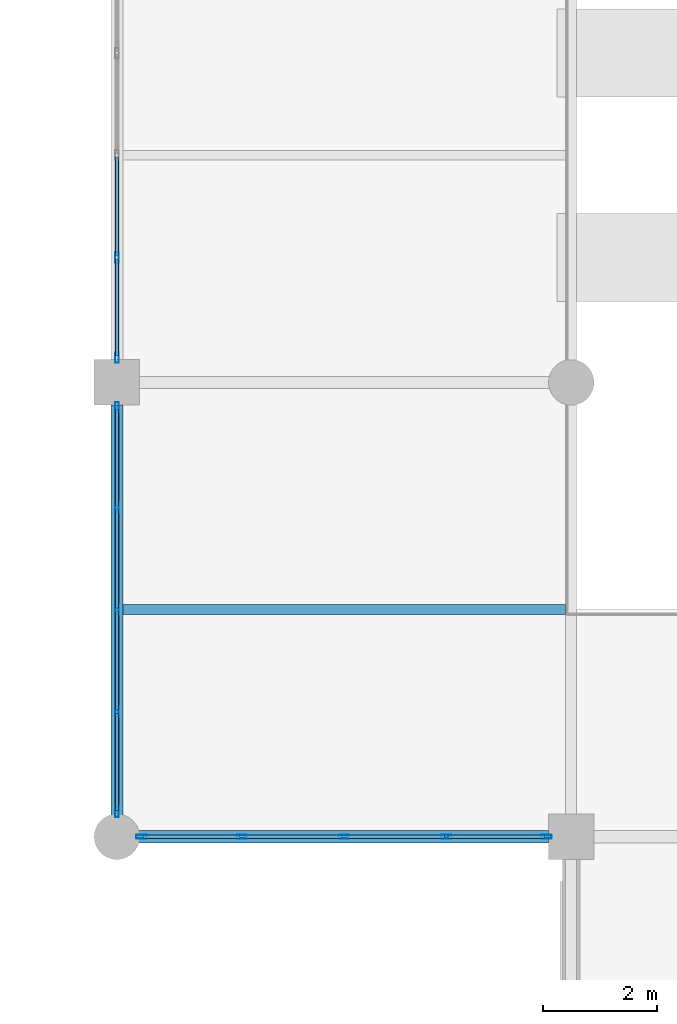
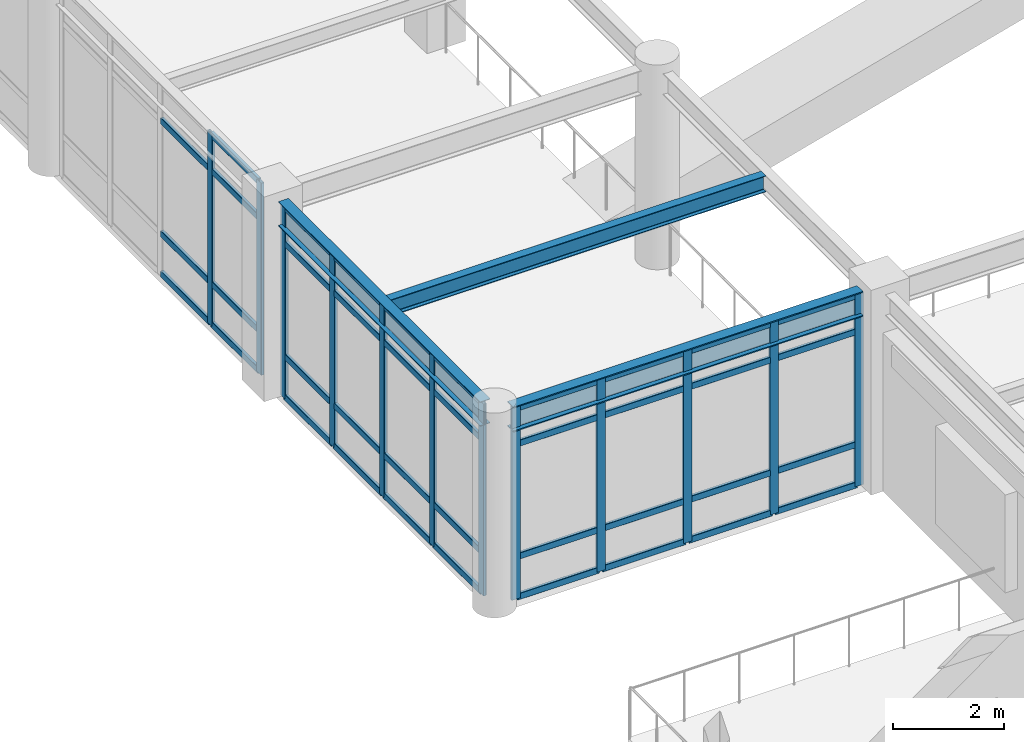
# One storey, part 21 of 111: 51 members, 3 beams, 3 elements without a shape of their own.
"""IFC4 building model written with IfcOpenShell, lengths in metres."""

from ifc_helpers import new_model, si_unit, direction, frame, origin, origin_2d, place, context, subcontext, project, spatial, hollow_rectangle, i_section, extrude, material, material_profile, profile_set, type_object, element, aggregate, save


model = new_model("IFC4")

# Units and contexts
model_context = context("Model", 3, precision=1e-05, world=origin(), true_north=direction((0.0, 1.0)))
body_context = subcontext(model_context, "Body", "Model", "MODEL_VIEW")
ifc_project = project(units=[si_unit("LENGTHUNIT", "METRE"), si_unit("AREAUNIT", "SQUARE_METRE"), si_unit("VOLUMEUNIT", "CUBIC_METRE"), si_unit("PLANEANGLEUNIT", "RADIAN"), si_unit("MASSUNIT", "GRAM", prefix="KILO")], contexts=[model_context])

# Site, building, storey
site_placement = place(None, origin())
site = spatial("IfcSite", under=ifc_project, at=site_placement, CompositionType="ELEMENT")
building_placement = place(site_placement, origin())
building = spatial("IfcBuilding", under=site, at=building_placement, Name="Solmirada Galleria", CompositionType="ELEMENT")
storey_placement = place(building_placement, frame((0.0, 0.0, 10.39990234375)))
storey = spatial("IfcBuildingStorey", under=building, at=storey_placement, Name="L02", CompositionType="ELEMENT", Elevation=10.39990234375)

# Beams
ifc_material_1 = material(Name="Steel S355 / ASTM A992 Grade 50", Category="steel")
ifc_material_profile_1 = material_profile(ifc_material_1, i_section(OverallWidth=0.214111328125, OverallDepth=0.549072265625, WebThickness=0.0146484375, FlangeThickness=0.023681640625, FilletRadius=0.014892578125, at=origin_2d()), Name="W21X93")
ifc_profile_set_1 = profile_set([ifc_material_profile_1], Name="Steel S355 / ASTM A992 Grade 50")
beam_type_1 = type_object("IfcBeamType", Name="BM-GIRD-W21A", PredefinedType="BEAM", material=ifc_profile_set_1)
beam_1_placement = place(storey_placement, frame((80.3359375, 48.0, 4.025634765625), z_axis=(1.0, 0.0, 0.0), x_axis=(0.0, 1.0, 0.0)))
element("IfcBeam", 1, at=beam_1_placement, inside=storey, type_object=beam_type_1, Name="Primary beam L03 X(80..88, 48)", PredefinedType="BEAM", context=body_context, shape_type="SweptSolid", body=[
    extrude(i_section(OverallWidth=0.214111328125, OverallDepth=0.549072265625, WebThickness=0.0146484375, FlangeThickness=0.023681640625, FilletRadius=0.014892578125, at=origin_2d()), origin(), (0.0, 0.0, 1.0), 7.26416015625),
])
ifc_material_profile_2 = material_profile(ifc_material_1, i_section(OverallWidth=0.2099609375, OverallDepth=0.537109375, WebThickness=0.010986328125, FlangeThickness=0.017333984375, FilletRadius=0.014892578125, at=origin_2d()), Name="W21X68")
ifc_profile_set_2 = profile_set([ifc_material_profile_2], Name="Steel S355 / ASTM A992 Grade 50")
beam_type_2 = type_object("IfcBeamType", Name="BM-GIRD-W21B", PredefinedType="BEAM", material=ifc_profile_set_2)
beam_2_placement = place(storey_placement, frame((80.0, 48.3359375, 4.031494140625), z_axis=(0.0, 1.0, 0.0), x_axis=(-1.0, 0.0, 0.0)))
element("IfcBeam", 2, at=beam_2_placement, inside=storey, type_object=beam_type_2, Name="Primary girder L03 Y(80, 48..56)", PredefinedType="BEAM", context=body_context, shape_type="SweptSolid", body=[
    extrude(i_section(OverallWidth=0.2099609375, OverallDepth=0.537109375, WebThickness=0.010986328125, FlangeThickness=0.017333984375, FilletRadius=0.014892578125, at=origin_2d()), origin(), (0.0, 0.0, 1.0), 7.26416015625),
])
ifc_material_profile_3 = material_profile(ifc_material_1, i_section(OverallWidth=0.172119140625, OverallDepth=0.35791015625, WebThickness=0.0078125, FlangeThickness=0.01318359375, FilletRadius=0.011962890625, at=origin_2d()), Name="W14X38")
ifc_profile_set_3 = profile_set([ifc_material_profile_3], Name="Steel S355 / ASTM A992 Grade 50")
beam_type_3 = type_object("IfcBeamType", Name="BM-JST-W14A", PredefinedType="JOIST", material=ifc_profile_set_3)
beam_3_placement = place(storey_placement, frame((80.10498046875, 52.0, 4.12109375), z_axis=(1.0, 0.0, 0.0), x_axis=(0.0, 1.0, 0.0)))
element("IfcBeam", 3, at=beam_3_placement, inside=storey, type_object=beam_type_3, Name="Composite floor joist L03 (80..88, 52.0)", PredefinedType="JOIST", context=body_context, shape_type="SweptSolid", body=[
    extrude(i_section(OverallWidth=0.172119140625, OverallDepth=0.35791015625, WebThickness=0.0078125, FlangeThickness=0.01318359375, FilletRadius=0.011962890625, at=origin_2d()), origin(), (0.0, 0.0, 1.0), 7.798095703125),
])

# Curtain wall, members
ifc_material_2 = material(Name="Impact-resistant low-E double glazing", Category="glass")
curtain_wall_type = type_object("IfcCurtainWallType", Name="CW-FZ3-L02-B4-L072", PredefinedType="NOTDEFINED", material=ifc_material_2)
curtain_wall_1_placement = place(storey_placement, origin())
curtain_wall_1 = element("IfcCurtainWall", 4, at=curtain_wall_1_placement, inside=storey, type_object=curtain_wall_type, Name="Terrace and arcade storefront CW-L02-083", PredefinedType="NOTDEFINED")
ifc_material_3 = material(Name="Anodised aluminium framing", Category="aluminium")
ifc_material_profile_4 = material_profile(ifc_material_3, hollow_rectangle(XDim=0.06494140625, YDim=0.179931640625, WallThickness=0.00390625, InnerFilletRadius=0.00390625, OuterFilletRadius=0.008056640625, at=origin_2d()), Name="ALU-MULL-180X65")
ifc_profile_set_4 = profile_set([ifc_material_profile_4], Name="Anodised aluminium framing")
member_type_1 = type_object("IfcMemberType", Name="CW-MULL-180", PredefinedType="MULLION", material=ifc_profile_set_4)
member_1_placement = place(storey_placement, frame((87.5654296875, 48.0, 0.0), z_axis=(0.0, 0.0, 1.0), x_axis=(0.0, -1.0, 0.0)))
member_1 = element("IfcMember", 5, at=member_1_placement, type_object=member_type_1, Name="CW21 mullion 1", PredefinedType="MULLION", context=body_context, shape_type="SweptSolid", body=[
    extrude(hollow_rectangle(XDim=0.06494140625, YDim=0.179931640625, WallThickness=0.00390625, InnerFilletRadius=0.00390625, OuterFilletRadius=0.008056640625, at=origin_2d()), origin(), (0.0, 0.0, 1.0), 4.22021484375),
])
member_2_placement = place(storey_placement, frame((85.799072265625, 48.0, 0.0), z_axis=(0.0, 0.0, 1.0), x_axis=(0.0, -1.0, 0.0)))
member_2 = element("IfcMember", 6, at=member_2_placement, type_object=member_type_1, Name="CW21 mullion 2", PredefinedType="MULLION", context=body_context, shape_type="SweptSolid", body=[
    extrude(hollow_rectangle(XDim=0.06494140625, YDim=0.179931640625, WallThickness=0.00390625, InnerFilletRadius=0.00390625, OuterFilletRadius=0.008056640625, at=origin_2d()), origin(), (0.0, 0.0, 1.0), 4.22021484375),
])
member_3_placement = place(storey_placement, frame((84.0, 48.0, 0.0), z_axis=(0.0, 0.0, 1.0), x_axis=(0.0, -1.0, 0.0)))
member_3 = element("IfcMember", 7, at=member_3_placement, type_object=member_type_1, Name="CW21 mullion 3", PredefinedType="MULLION", context=body_context, shape_type="SweptSolid", body=[
    extrude(hollow_rectangle(XDim=0.06494140625, YDim=0.179931640625, WallThickness=0.00390625, InnerFilletRadius=0.00390625, OuterFilletRadius=0.008056640625, at=origin_2d()), origin(), (0.0, 0.0, 1.0), 4.22021484375),
])
member_4_placement = place(storey_placement, frame((82.200927734375, 48.0, 0.0), z_axis=(0.0, 0.0, 1.0), x_axis=(0.0, -1.0, 0.0)))
member_4 = element("IfcMember", 8, at=member_4_placement, type_object=member_type_1, Name="CW21 mullion 4", PredefinedType="MULLION", context=body_context, shape_type="SweptSolid", body=[
    extrude(hollow_rectangle(XDim=0.06494140625, YDim=0.179931640625, WallThickness=0.00390625, InnerFilletRadius=0.00390625, OuterFilletRadius=0.008056640625, at=origin_2d()), origin(), (0.0, 0.0, 1.0), 4.22021484375),
])
member_5_placement = place(storey_placement, frame((80.4345703125, 48.0, 0.0), z_axis=(0.0, 0.0, 1.0), x_axis=(0.0, -1.0, 0.0)))
member_5 = element("IfcMember", 9, at=member_5_placement, type_object=member_type_1, Name="CW21 mullion 5", PredefinedType="MULLION", context=body_context, shape_type="SweptSolid", body=[
    extrude(hollow_rectangle(XDim=0.06494140625, YDim=0.179931640625, WallThickness=0.00390625, InnerFilletRadius=0.00390625, OuterFilletRadius=0.008056640625, at=origin_2d()), origin(), (0.0, 0.0, 1.0), 4.22021484375),
])

curtain_wall_2_placement = place(storey_placement, origin())
curtain_wall_2 = element("IfcCurtainWall", 10, at=curtain_wall_2_placement, inside=storey, type_object=curtain_wall_type, Name="Terrace and arcade storefront CW-L02-084", PredefinedType="NOTDEFINED")
member_6_placement = place(storey_placement, frame((80.0, 48.4345703125, 0.0), z_axis=(0.0, 0.0, 1.0), x_axis=(-1.0, 0.0, 0.0)))
member_6 = element("IfcMember", 11, at=member_6_placement, type_object=member_type_1, Name="CW21 mullion 1", PredefinedType="MULLION", context=body_context, shape_type="SweptSolid", body=[
    extrude(hollow_rectangle(XDim=0.06494140625, YDim=0.179931640625, WallThickness=0.00390625, InnerFilletRadius=0.00390625, OuterFilletRadius=0.008056640625, at=origin_2d()), origin(), (0.0, 0.0, 1.0), 4.22021484375),
])
member_7_placement = place(storey_placement, frame((80.0, 50.200927734375, 0.0), z_axis=(0.0, 0.0, 1.0), x_axis=(-1.0, 0.0, 0.0)))
member_7 = element("IfcMember", 12, at=member_7_placement, type_object=member_type_1, Name="CW21 mullion 2", PredefinedType="MULLION", context=body_context, shape_type="SweptSolid", body=[
    extrude(hollow_rectangle(XDim=0.06494140625, YDim=0.179931640625, WallThickness=0.00390625, InnerFilletRadius=0.00390625, OuterFilletRadius=0.008056640625, at=origin_2d()), origin(), (0.0, 0.0, 1.0), 4.22021484375),
])
member_8_placement = place(storey_placement, frame((80.0, 52.0, 0.0), z_axis=(0.0, 0.0, 1.0), x_axis=(-1.0, 0.0, 0.0)))
member_8 = element("IfcMember", 13, at=member_8_placement, type_object=member_type_1, Name="CW21 mullion 3", PredefinedType="MULLION", context=body_context, shape_type="SweptSolid", body=[
    extrude(hollow_rectangle(XDim=0.06494140625, YDim=0.179931640625, WallThickness=0.00390625, InnerFilletRadius=0.00390625, OuterFilletRadius=0.008056640625, at=origin_2d()), origin(), (0.0, 0.0, 1.0), 4.22021484375),
])
member_9_placement = place(storey_placement, frame((80.0, 53.799072265625, 0.0), z_axis=(0.0, 0.0, 1.0), x_axis=(-1.0, 0.0, 0.0)))
member_9 = element("IfcMember", 14, at=member_9_placement, type_object=member_type_1, Name="CW21 mullion 4", PredefinedType="MULLION", context=body_context, shape_type="SweptSolid", body=[
    extrude(hollow_rectangle(XDim=0.06494140625, YDim=0.179931640625, WallThickness=0.00390625, InnerFilletRadius=0.00390625, OuterFilletRadius=0.008056640625, at=origin_2d()), origin(), (0.0, 0.0, 1.0), 4.22021484375),
])
member_10_placement = place(storey_placement, frame((80.0, 55.5654296875, 0.0), z_axis=(0.0, 0.0, 1.0), x_axis=(-1.0, 0.0, 0.0)))
member_10 = element("IfcMember", 15, at=member_10_placement, type_object=member_type_1, Name="CW21 mullion 5", PredefinedType="MULLION", context=body_context, shape_type="SweptSolid", body=[
    extrude(hollow_rectangle(XDim=0.06494140625, YDim=0.179931640625, WallThickness=0.00390625, InnerFilletRadius=0.00390625, OuterFilletRadius=0.008056640625, at=origin_2d()), origin(), (0.0, 0.0, 1.0), 4.22021484375),
])

curtain_wall_3_placement = place(storey_placement, origin())
curtain_wall_3 = element("IfcCurtainWall", 16, at=curtain_wall_3_placement, inside=storey, type_object=curtain_wall_type, Name="Terrace and arcade storefront CW-L02-085", PredefinedType="NOTDEFINED")
member_11_placement = place(storey_placement, frame((80.0, 56.4345703125, 0.0), z_axis=(0.0, 0.0, 1.0), x_axis=(-1.0, 0.0, 0.0)))
member_11 = element("IfcMember", 17, at=member_11_placement, type_object=member_type_1, Name="CW21 mullion 1", PredefinedType="MULLION", context=body_context, shape_type="SweptSolid", body=[
    extrude(hollow_rectangle(XDim=0.06494140625, YDim=0.179931640625, WallThickness=0.00390625, InnerFilletRadius=0.00390625, OuterFilletRadius=0.008056640625, at=origin_2d()), origin(), (0.0, 0.0, 1.0), 4.22021484375),
])
member_12_placement = place(storey_placement, frame((80.0, 58.200927734375, 0.0), z_axis=(0.0, 0.0, 1.0), x_axis=(-1.0, 0.0, 0.0)))
member_12 = element("IfcMember", 18, at=member_12_placement, type_object=member_type_1, Name="CW21 mullion 2", PredefinedType="MULLION", context=body_context, shape_type="SweptSolid", body=[
    extrude(hollow_rectangle(XDim=0.06494140625, YDim=0.179931640625, WallThickness=0.00390625, InnerFilletRadius=0.00390625, OuterFilletRadius=0.008056640625, at=origin_2d()), origin(), (0.0, 0.0, 1.0), 4.22021484375),
])

# Member
ifc_material_profile_5 = material_profile(ifc_material_3, hollow_rectangle(XDim=0.06494140625, YDim=0.139892578125, WallThickness=0.00341796875, InnerFilletRadius=0.00341796875, OuterFilletRadius=0.007080078125, at=origin_2d()), Name="ALU-TRAN-140X65")
ifc_profile_set_5 = profile_set([ifc_material_profile_5], Name="Anodised aluminium framing")
member_type_2 = type_object("IfcMemberType", Name="CW-TRAN-140", PredefinedType="USERDEFINED", material=ifc_profile_set_5)
member_13_placement = place(storey_placement, frame((87.532958984375, 48.0, 0.03271484375), z_axis=(-1.0, 0.0, 0.0), x_axis=(0.0, -1.0, 0.0)))
member_13 = element("IfcMember", 19, at=member_13_placement, type_object=member_type_2, Name="CW21 transom 1.1", ObjectType="TRANSOM", PredefinedType="USERDEFINED", context=body_context, shape_type="SweptSolid", body=[
    extrude(hollow_rectangle(XDim=0.06494140625, YDim=0.139892578125, WallThickness=0.00341796875, InnerFilletRadius=0.00341796875, OuterFilletRadius=0.007080078125, at=origin_2d()), origin(), (0.0, 0.0, 1.0), 1.701416015625),
])

member_14_placement = place(storey_placement, frame((87.532958984375, 48.0, 0.920166015625), z_axis=(-1.0, 0.0, 0.0), x_axis=(0.0, -1.0, 0.0)))
member_14 = element("IfcMember", 20, at=member_14_placement, type_object=member_type_2, Name="CW21 transom 1.2", ObjectType="TRANSOM", PredefinedType="USERDEFINED", context=body_context, shape_type="SweptSolid", body=[
    extrude(hollow_rectangle(XDim=0.06494140625, YDim=0.139892578125, WallThickness=0.00341796875, InnerFilletRadius=0.00341796875, OuterFilletRadius=0.007080078125, at=origin_2d()), origin(), (0.0, 0.0, 1.0), 1.701416015625),
])

member_15_placement = place(storey_placement, frame((87.532958984375, 48.0, 3.400146484375), z_axis=(-1.0, 0.0, 0.0), x_axis=(0.0, -1.0, 0.0)))
member_15 = element("IfcMember", 21, at=member_15_placement, type_object=member_type_2, Name="CW21 transom 1.3", ObjectType="TRANSOM", PredefinedType="USERDEFINED", context=body_context, shape_type="SweptSolid", body=[
    extrude(hollow_rectangle(XDim=0.06494140625, YDim=0.139892578125, WallThickness=0.00341796875, InnerFilletRadius=0.00341796875, OuterFilletRadius=0.007080078125, at=origin_2d()), origin(), (0.0, 0.0, 1.0), 1.701416015625),
])

member_16_placement = place(storey_placement, frame((87.532958984375, 48.0, 4.1875), z_axis=(-1.0, 0.0, 0.0), x_axis=(0.0, -1.0, 0.0)))
member_16 = element("IfcMember", 22, at=member_16_placement, type_object=member_type_2, Name="CW21 transom 1.4", ObjectType="TRANSOM", PredefinedType="USERDEFINED", context=body_context, shape_type="SweptSolid", body=[
    extrude(hollow_rectangle(XDim=0.06494140625, YDim=0.139892578125, WallThickness=0.00341796875, InnerFilletRadius=0.00341796875, OuterFilletRadius=0.007080078125, at=origin_2d()), origin(), (0.0, 0.0, 1.0), 1.701416015625),
])

member_17_placement = place(storey_placement, frame((85.7666015625, 48.0, 0.03271484375), z_axis=(-1.0, 0.0, 0.0), x_axis=(0.0, -1.0, 0.0)))
member_17 = element("IfcMember", 23, at=member_17_placement, type_object=member_type_2, Name="CW21 transom 2.1", ObjectType="TRANSOM", PredefinedType="USERDEFINED", context=body_context, shape_type="SweptSolid", body=[
    extrude(hollow_rectangle(XDim=0.06494140625, YDim=0.139892578125, WallThickness=0.00341796875, InnerFilletRadius=0.00341796875, OuterFilletRadius=0.007080078125, at=origin_2d()), origin(), (0.0, 0.0, 1.0), 1.734130859375),
])

member_18_placement = place(storey_placement, frame((85.7666015625, 48.0, 0.920166015625), z_axis=(-1.0, 0.0, 0.0), x_axis=(0.0, -1.0, 0.0)))
member_18 = element("IfcMember", 24, at=member_18_placement, type_object=member_type_2, Name="CW21 transom 2.2", ObjectType="TRANSOM", PredefinedType="USERDEFINED", context=body_context, shape_type="SweptSolid", body=[
    extrude(hollow_rectangle(XDim=0.06494140625, YDim=0.139892578125, WallThickness=0.00341796875, InnerFilletRadius=0.00341796875, OuterFilletRadius=0.007080078125, at=origin_2d()), origin(), (0.0, 0.0, 1.0), 1.734130859375),
])

member_19_placement = place(storey_placement, frame((85.7666015625, 48.0, 3.400146484375), z_axis=(-1.0, 0.0, 0.0), x_axis=(0.0, -1.0, 0.0)))
member_19 = element("IfcMember", 25, at=member_19_placement, type_object=member_type_2, Name="CW21 transom 2.3", ObjectType="TRANSOM", PredefinedType="USERDEFINED", context=body_context, shape_type="SweptSolid", body=[
    extrude(hollow_rectangle(XDim=0.06494140625, YDim=0.139892578125, WallThickness=0.00341796875, InnerFilletRadius=0.00341796875, OuterFilletRadius=0.007080078125, at=origin_2d()), origin(), (0.0, 0.0, 1.0), 1.734130859375),
])

member_20_placement = place(storey_placement, frame((85.7666015625, 48.0, 4.1875), z_axis=(-1.0, 0.0, 0.0), x_axis=(0.0, -1.0, 0.0)))
member_20 = element("IfcMember", 26, at=member_20_placement, type_object=member_type_2, Name="CW21 transom 2.4", ObjectType="TRANSOM", PredefinedType="USERDEFINED", context=body_context, shape_type="SweptSolid", body=[
    extrude(hollow_rectangle(XDim=0.06494140625, YDim=0.139892578125, WallThickness=0.00341796875, InnerFilletRadius=0.00341796875, OuterFilletRadius=0.007080078125, at=origin_2d()), origin(), (0.0, 0.0, 1.0), 1.734130859375),
])

member_21_placement = place(storey_placement, frame((83.967529296875, 48.0, 0.03271484375), z_axis=(-1.0, 0.0, 0.0), x_axis=(0.0, -1.0, 0.0)))
member_21 = element("IfcMember", 27, at=member_21_placement, type_object=member_type_2, Name="CW21 transom 3.1", ObjectType="TRANSOM", PredefinedType="USERDEFINED", context=body_context, shape_type="SweptSolid", body=[
    extrude(hollow_rectangle(XDim=0.06494140625, YDim=0.139892578125, WallThickness=0.00341796875, InnerFilletRadius=0.00341796875, OuterFilletRadius=0.007080078125, at=origin_2d()), origin(), (0.0, 0.0, 1.0), 1.734130859375),
])

member_22_placement = place(storey_placement, frame((83.967529296875, 48.0, 0.920166015625), z_axis=(-1.0, 0.0, 0.0), x_axis=(0.0, -1.0, 0.0)))
member_22 = element("IfcMember", 28, at=member_22_placement, type_object=member_type_2, Name="CW21 transom 3.2", ObjectType="TRANSOM", PredefinedType="USERDEFINED", context=body_context, shape_type="SweptSolid", body=[
    extrude(hollow_rectangle(XDim=0.06494140625, YDim=0.139892578125, WallThickness=0.00341796875, InnerFilletRadius=0.00341796875, OuterFilletRadius=0.007080078125, at=origin_2d()), origin(), (0.0, 0.0, 1.0), 1.734130859375),
])

member_23_placement = place(storey_placement, frame((83.967529296875, 48.0, 3.400146484375), z_axis=(-1.0, 0.0, 0.0), x_axis=(0.0, -1.0, 0.0)))
member_23 = element("IfcMember", 29, at=member_23_placement, type_object=member_type_2, Name="CW21 transom 3.3", ObjectType="TRANSOM", PredefinedType="USERDEFINED", context=body_context, shape_type="SweptSolid", body=[
    extrude(hollow_rectangle(XDim=0.06494140625, YDim=0.139892578125, WallThickness=0.00341796875, InnerFilletRadius=0.00341796875, OuterFilletRadius=0.007080078125, at=origin_2d()), origin(), (0.0, 0.0, 1.0), 1.734130859375),
])

member_24_placement = place(storey_placement, frame((83.967529296875, 48.0, 4.1875), z_axis=(-1.0, 0.0, 0.0), x_axis=(0.0, -1.0, 0.0)))
member_24 = element("IfcMember", 30, at=member_24_placement, type_object=member_type_2, Name="CW21 transom 3.4", ObjectType="TRANSOM", PredefinedType="USERDEFINED", context=body_context, shape_type="SweptSolid", body=[
    extrude(hollow_rectangle(XDim=0.06494140625, YDim=0.139892578125, WallThickness=0.00341796875, InnerFilletRadius=0.00341796875, OuterFilletRadius=0.007080078125, at=origin_2d()), origin(), (0.0, 0.0, 1.0), 1.734130859375),
])

member_25_placement = place(storey_placement, frame((82.16845703125, 48.0, 0.03271484375), z_axis=(-1.0, 0.0, 0.0), x_axis=(0.0, -1.0, 0.0)))
member_25 = element("IfcMember", 31, at=member_25_placement, type_object=member_type_2, Name="CW21 transom 4.1", ObjectType="TRANSOM", PredefinedType="USERDEFINED", context=body_context, shape_type="SweptSolid", body=[
    extrude(hollow_rectangle(XDim=0.06494140625, YDim=0.139892578125, WallThickness=0.00341796875, InnerFilletRadius=0.00341796875, OuterFilletRadius=0.007080078125, at=origin_2d()), origin(), (0.0, 0.0, 1.0), 1.701416015625),
])

member_26_placement = place(storey_placement, frame((82.16845703125, 48.0, 0.920166015625), z_axis=(-1.0, 0.0, 0.0), x_axis=(0.0, -1.0, 0.0)))
member_26 = element("IfcMember", 32, at=member_26_placement, type_object=member_type_2, Name="CW21 transom 4.2", ObjectType="TRANSOM", PredefinedType="USERDEFINED", context=body_context, shape_type="SweptSolid", body=[
    extrude(hollow_rectangle(XDim=0.06494140625, YDim=0.139892578125, WallThickness=0.00341796875, InnerFilletRadius=0.00341796875, OuterFilletRadius=0.007080078125, at=origin_2d()), origin(), (0.0, 0.0, 1.0), 1.701416015625),
])

member_27_placement = place(storey_placement, frame((82.16845703125, 48.0, 3.400146484375), z_axis=(-1.0, 0.0, 0.0), x_axis=(0.0, -1.0, 0.0)))
member_27 = element("IfcMember", 33, at=member_27_placement, type_object=member_type_2, Name="CW21 transom 4.3", ObjectType="TRANSOM", PredefinedType="USERDEFINED", context=body_context, shape_type="SweptSolid", body=[
    extrude(hollow_rectangle(XDim=0.06494140625, YDim=0.139892578125, WallThickness=0.00341796875, InnerFilletRadius=0.00341796875, OuterFilletRadius=0.007080078125, at=origin_2d()), origin(), (0.0, 0.0, 1.0), 1.701416015625),
])

member_28_placement = place(storey_placement, frame((82.16845703125, 48.0, 4.1875), z_axis=(-1.0, 0.0, 0.0), x_axis=(0.0, -1.0, 0.0)))
member_28 = element("IfcMember", 34, at=member_28_placement, type_object=member_type_2, Name="CW21 transom 4.4", ObjectType="TRANSOM", PredefinedType="USERDEFINED", context=body_context, shape_type="SweptSolid", body=[
    extrude(hollow_rectangle(XDim=0.06494140625, YDim=0.139892578125, WallThickness=0.00341796875, InnerFilletRadius=0.00341796875, OuterFilletRadius=0.007080078125, at=origin_2d()), origin(), (0.0, 0.0, 1.0), 1.701416015625),
])

aggregate(curtain_wall_1, [member_1, member_2, member_3, member_4, member_5, member_13, member_14, member_15, member_16, member_17, member_18, member_19, member_20, member_21, member_22, member_23, member_24, member_25, member_26, member_27, member_28])

member_29_placement = place(storey_placement, frame((80.0, 48.467041015625, 0.03271484375), z_axis=(0.0, 1.0, 0.0), x_axis=(-1.0, 0.0, 0.0)))
member_29 = element("IfcMember", 35, at=member_29_placement, type_object=member_type_2, Name="CW21 transom 1.1", ObjectType="TRANSOM", PredefinedType="USERDEFINED", context=body_context, shape_type="SweptSolid", body=[
    extrude(hollow_rectangle(XDim=0.06494140625, YDim=0.139892578125, WallThickness=0.00341796875, InnerFilletRadius=0.00341796875, OuterFilletRadius=0.007080078125, at=origin_2d()), origin(), (0.0, 0.0, 1.0), 1.701416015625),
])

member_30_placement = place(storey_placement, frame((80.0, 48.467041015625, 0.920166015625), z_axis=(0.0, 1.0, 0.0), x_axis=(-1.0, 0.0, 0.0)))
member_30 = element("IfcMember", 36, at=member_30_placement, type_object=member_type_2, Name="CW21 transom 1.2", ObjectType="TRANSOM", PredefinedType="USERDEFINED", context=body_context, shape_type="SweptSolid", body=[
    extrude(hollow_rectangle(XDim=0.06494140625, YDim=0.139892578125, WallThickness=0.00341796875, InnerFilletRadius=0.00341796875, OuterFilletRadius=0.007080078125, at=origin_2d()), origin(), (0.0, 0.0, 1.0), 1.701416015625),
])

member_31_placement = place(storey_placement, frame((80.0, 48.467041015625, 3.400146484375), z_axis=(0.0, 1.0, 0.0), x_axis=(-1.0, 0.0, 0.0)))
member_31 = element("IfcMember", 37, at=member_31_placement, type_object=member_type_2, Name="CW21 transom 1.3", ObjectType="TRANSOM", PredefinedType="USERDEFINED", context=body_context, shape_type="SweptSolid", body=[
    extrude(hollow_rectangle(XDim=0.06494140625, YDim=0.139892578125, WallThickness=0.00341796875, InnerFilletRadius=0.00341796875, OuterFilletRadius=0.007080078125, at=origin_2d()), origin(), (0.0, 0.0, 1.0), 1.701416015625),
])

member_32_placement = place(storey_placement, frame((80.0, 48.467041015625, 4.1875), z_axis=(0.0, 1.0, 0.0), x_axis=(-1.0, 0.0, 0.0)))
member_32 = element("IfcMember", 38, at=member_32_placement, type_object=member_type_2, Name="CW21 transom 1.4", ObjectType="TRANSOM", PredefinedType="USERDEFINED", context=body_context, shape_type="SweptSolid", body=[
    extrude(hollow_rectangle(XDim=0.06494140625, YDim=0.139892578125, WallThickness=0.00341796875, InnerFilletRadius=0.00341796875, OuterFilletRadius=0.007080078125, at=origin_2d()), origin(), (0.0, 0.0, 1.0), 1.701416015625),
])

member_33_placement = place(storey_placement, frame((80.0, 50.2333984375, 0.03271484375), z_axis=(0.0, 1.0, 0.0), x_axis=(-1.0, 0.0, 0.0)))
member_33 = element("IfcMember", 39, at=member_33_placement, type_object=member_type_2, Name="CW21 transom 2.1", ObjectType="TRANSOM", PredefinedType="USERDEFINED", context=body_context, shape_type="SweptSolid", body=[
    extrude(hollow_rectangle(XDim=0.06494140625, YDim=0.139892578125, WallThickness=0.00341796875, InnerFilletRadius=0.00341796875, OuterFilletRadius=0.007080078125, at=origin_2d()), origin(), (0.0, 0.0, 1.0), 1.734130859375),
])

member_34_placement = place(storey_placement, frame((80.0, 50.2333984375, 0.920166015625), z_axis=(0.0, 1.0, 0.0), x_axis=(-1.0, 0.0, 0.0)))
member_34 = element("IfcMember", 40, at=member_34_placement, type_object=member_type_2, Name="CW21 transom 2.2", ObjectType="TRANSOM", PredefinedType="USERDEFINED", context=body_context, shape_type="SweptSolid", body=[
    extrude(hollow_rectangle(XDim=0.06494140625, YDim=0.139892578125, WallThickness=0.00341796875, InnerFilletRadius=0.00341796875, OuterFilletRadius=0.007080078125, at=origin_2d()), origin(), (0.0, 0.0, 1.0), 1.734130859375),
])

member_35_placement = place(storey_placement, frame((80.0, 50.2333984375, 3.400146484375), z_axis=(0.0, 1.0, 0.0), x_axis=(-1.0, 0.0, 0.0)))
member_35 = element("IfcMember", 41, at=member_35_placement, type_object=member_type_2, Name="CW21 transom 2.3", ObjectType="TRANSOM", PredefinedType="USERDEFINED", context=body_context, shape_type="SweptSolid", body=[
    extrude(hollow_rectangle(XDim=0.06494140625, YDim=0.139892578125, WallThickness=0.00341796875, InnerFilletRadius=0.00341796875, OuterFilletRadius=0.007080078125, at=origin_2d()), origin(), (0.0, 0.0, 1.0), 1.734130859375),
])

member_36_placement = place(storey_placement, frame((80.0, 50.2333984375, 4.1875), z_axis=(0.0, 1.0, 0.0), x_axis=(-1.0, 0.0, 0.0)))
member_36 = element("IfcMember", 42, at=member_36_placement, type_object=member_type_2, Name="CW21 transom 2.4", ObjectType="TRANSOM", PredefinedType="USERDEFINED", context=body_context, shape_type="SweptSolid", body=[
    extrude(hollow_rectangle(XDim=0.06494140625, YDim=0.139892578125, WallThickness=0.00341796875, InnerFilletRadius=0.00341796875, OuterFilletRadius=0.007080078125, at=origin_2d()), origin(), (0.0, 0.0, 1.0), 1.734130859375),
])

member_37_placement = place(storey_placement, frame((80.0, 52.032470703125, 0.03271484375), z_axis=(0.0, 1.0, 0.0), x_axis=(-1.0, 0.0, 0.0)))
member_37 = element("IfcMember", 43, at=member_37_placement, type_object=member_type_2, Name="CW21 transom 3.1", ObjectType="TRANSOM", PredefinedType="USERDEFINED", context=body_context, shape_type="SweptSolid", body=[
    extrude(hollow_rectangle(XDim=0.06494140625, YDim=0.139892578125, WallThickness=0.00341796875, InnerFilletRadius=0.00341796875, OuterFilletRadius=0.007080078125, at=origin_2d()), origin(), (0.0, 0.0, 1.0), 1.734130859375),
])

member_38_placement = place(storey_placement, frame((80.0, 52.032470703125, 0.920166015625), z_axis=(0.0, 1.0, 0.0), x_axis=(-1.0, 0.0, 0.0)))
member_38 = element("IfcMember", 44, at=member_38_placement, type_object=member_type_2, Name="CW21 transom 3.2", ObjectType="TRANSOM", PredefinedType="USERDEFINED", context=body_context, shape_type="SweptSolid", body=[
    extrude(hollow_rectangle(XDim=0.06494140625, YDim=0.139892578125, WallThickness=0.00341796875, InnerFilletRadius=0.00341796875, OuterFilletRadius=0.007080078125, at=origin_2d()), origin(), (0.0, 0.0, 1.0), 1.734130859375),
])

member_39_placement = place(storey_placement, frame((80.0, 52.032470703125, 3.400146484375), z_axis=(0.0, 1.0, 0.0), x_axis=(-1.0, 0.0, 0.0)))
member_39 = element("IfcMember", 45, at=member_39_placement, type_object=member_type_2, Name="CW21 transom 3.3", ObjectType="TRANSOM", PredefinedType="USERDEFINED", context=body_context, shape_type="SweptSolid", body=[
    extrude(hollow_rectangle(XDim=0.06494140625, YDim=0.139892578125, WallThickness=0.00341796875, InnerFilletRadius=0.00341796875, OuterFilletRadius=0.007080078125, at=origin_2d()), origin(), (0.0, 0.0, 1.0), 1.734130859375),
])

member_40_placement = place(storey_placement, frame((80.0, 52.032470703125, 4.1875), z_axis=(0.0, 1.0, 0.0), x_axis=(-1.0, 0.0, 0.0)))
member_40 = element("IfcMember", 46, at=member_40_placement, type_object=member_type_2, Name="CW21 transom 3.4", ObjectType="TRANSOM", PredefinedType="USERDEFINED", context=body_context, shape_type="SweptSolid", body=[
    extrude(hollow_rectangle(XDim=0.06494140625, YDim=0.139892578125, WallThickness=0.00341796875, InnerFilletRadius=0.00341796875, OuterFilletRadius=0.007080078125, at=origin_2d()), origin(), (0.0, 0.0, 1.0), 1.734130859375),
])

member_41_placement = place(storey_placement, frame((80.0, 53.83154296875, 0.03271484375), z_axis=(0.0, 1.0, 0.0), x_axis=(-1.0, 0.0, 0.0)))
member_41 = element("IfcMember", 47, at=member_41_placement, type_object=member_type_2, Name="CW21 transom 4.1", ObjectType="TRANSOM", PredefinedType="USERDEFINED", context=body_context, shape_type="SweptSolid", body=[
    extrude(hollow_rectangle(XDim=0.06494140625, YDim=0.139892578125, WallThickness=0.00341796875, InnerFilletRadius=0.00341796875, OuterFilletRadius=0.007080078125, at=origin_2d()), origin(), (0.0, 0.0, 1.0), 1.701416015625),
])

member_42_placement = place(storey_placement, frame((80.0, 53.83154296875, 0.920166015625), z_axis=(0.0, 1.0, 0.0), x_axis=(-1.0, 0.0, 0.0)))
member_42 = element("IfcMember", 48, at=member_42_placement, type_object=member_type_2, Name="CW21 transom 4.2", ObjectType="TRANSOM", PredefinedType="USERDEFINED", context=body_context, shape_type="SweptSolid", body=[
    extrude(hollow_rectangle(XDim=0.06494140625, YDim=0.139892578125, WallThickness=0.00341796875, InnerFilletRadius=0.00341796875, OuterFilletRadius=0.007080078125, at=origin_2d()), origin(), (0.0, 0.0, 1.0), 1.701416015625),
])

member_43_placement = place(storey_placement, frame((80.0, 53.83154296875, 3.400146484375), z_axis=(0.0, 1.0, 0.0), x_axis=(-1.0, 0.0, 0.0)))
member_43 = element("IfcMember", 49, at=member_43_placement, type_object=member_type_2, Name="CW21 transom 4.3", ObjectType="TRANSOM", PredefinedType="USERDEFINED", context=body_context, shape_type="SweptSolid", body=[
    extrude(hollow_rectangle(XDim=0.06494140625, YDim=0.139892578125, WallThickness=0.00341796875, InnerFilletRadius=0.00341796875, OuterFilletRadius=0.007080078125, at=origin_2d()), origin(), (0.0, 0.0, 1.0), 1.701416015625),
])

member_44_placement = place(storey_placement, frame((80.0, 53.83154296875, 4.1875), z_axis=(0.0, 1.0, 0.0), x_axis=(-1.0, 0.0, 0.0)))
member_44 = element("IfcMember", 50, at=member_44_placement, type_object=member_type_2, Name="CW21 transom 4.4", ObjectType="TRANSOM", PredefinedType="USERDEFINED", context=body_context, shape_type="SweptSolid", body=[
    extrude(hollow_rectangle(XDim=0.06494140625, YDim=0.139892578125, WallThickness=0.00341796875, InnerFilletRadius=0.00341796875, OuterFilletRadius=0.007080078125, at=origin_2d()), origin(), (0.0, 0.0, 1.0), 1.701416015625),
])

aggregate(curtain_wall_2, [member_6, member_7, member_8, member_9, member_10, member_29, member_30, member_31, member_32, member_33, member_34, member_35, member_36, member_37, member_38, member_39, member_40, member_41, member_42, member_43, member_44])

member_45_placement = place(storey_placement, frame((80.0, 56.467041015625, 0.03271484375), z_axis=(0.0, 1.0, 0.0), x_axis=(-1.0, 0.0, 0.0)))
member_45 = element("IfcMember", 51, at=member_45_placement, type_object=member_type_2, Name="CW21 transom 1.1", ObjectType="TRANSOM", PredefinedType="USERDEFINED", context=body_context, shape_type="SweptSolid", body=[
    extrude(hollow_rectangle(XDim=0.06494140625, YDim=0.139892578125, WallThickness=0.00341796875, InnerFilletRadius=0.00341796875, OuterFilletRadius=0.007080078125, at=origin_2d()), origin(), (0.0, 0.0, 1.0), 1.701416015625),
])

member_46_placement = place(storey_placement, frame((80.0, 56.467041015625, 0.920166015625), z_axis=(0.0, 1.0, 0.0), x_axis=(-1.0, 0.0, 0.0)))
member_46 = element("IfcMember", 52, at=member_46_placement, type_object=member_type_2, Name="CW21 transom 1.2", ObjectType="TRANSOM", PredefinedType="USERDEFINED", context=body_context, shape_type="SweptSolid", body=[
    extrude(hollow_rectangle(XDim=0.06494140625, YDim=0.139892578125, WallThickness=0.00341796875, InnerFilletRadius=0.00341796875, OuterFilletRadius=0.007080078125, at=origin_2d()), origin(), (0.0, 0.0, 1.0), 1.701416015625),
])

member_47_placement = place(storey_placement, frame((80.0, 56.467041015625, 3.400146484375), z_axis=(0.0, 1.0, 0.0), x_axis=(-1.0, 0.0, 0.0)))
member_47 = element("IfcMember", 53, at=member_47_placement, type_object=member_type_2, Name="CW21 transom 1.3", ObjectType="TRANSOM", PredefinedType="USERDEFINED", context=body_context, shape_type="SweptSolid", body=[
    extrude(hollow_rectangle(XDim=0.06494140625, YDim=0.139892578125, WallThickness=0.00341796875, InnerFilletRadius=0.00341796875, OuterFilletRadius=0.007080078125, at=origin_2d()), origin(), (0.0, 0.0, 1.0), 1.701416015625),
])

member_48_placement = place(storey_placement, frame((80.0, 56.467041015625, 4.1875), z_axis=(0.0, 1.0, 0.0), x_axis=(-1.0, 0.0, 0.0)))
member_48 = element("IfcMember", 54, at=member_48_placement, type_object=member_type_2, Name="CW21 transom 1.4", ObjectType="TRANSOM", PredefinedType="USERDEFINED", context=body_context, shape_type="SweptSolid", body=[
    extrude(hollow_rectangle(XDim=0.06494140625, YDim=0.139892578125, WallThickness=0.00341796875, InnerFilletRadius=0.00341796875, OuterFilletRadius=0.007080078125, at=origin_2d()), origin(), (0.0, 0.0, 1.0), 1.701416015625),
])

member_49_placement = place(storey_placement, frame((80.0, 58.2333984375, 0.03271484375), z_axis=(0.0, 1.0, 0.0), x_axis=(-1.0, 0.0, 0.0)))
member_49 = element("IfcMember", 55, at=member_49_placement, type_object=member_type_2, Name="CW21 transom 2.1", ObjectType="TRANSOM", PredefinedType="USERDEFINED", context=body_context, shape_type="SweptSolid", body=[
    extrude(hollow_rectangle(XDim=0.06494140625, YDim=0.139892578125, WallThickness=0.00341796875, InnerFilletRadius=0.00341796875, OuterFilletRadius=0.007080078125, at=origin_2d()), origin(), (0.0, 0.0, 1.0), 1.734130859375),
])

member_50_placement = place(storey_placement, frame((80.0, 58.2333984375, 0.920166015625), z_axis=(0.0, 1.0, 0.0), x_axis=(-1.0, 0.0, 0.0)))
member_50 = element("IfcMember", 56, at=member_50_placement, type_object=member_type_2, Name="CW21 transom 2.2", ObjectType="TRANSOM", PredefinedType="USERDEFINED", context=body_context, shape_type="SweptSolid", body=[
    extrude(hollow_rectangle(XDim=0.06494140625, YDim=0.139892578125, WallThickness=0.00341796875, InnerFilletRadius=0.00341796875, OuterFilletRadius=0.007080078125, at=origin_2d()), origin(), (0.0, 0.0, 1.0), 1.734130859375),
])

member_51_placement = place(storey_placement, frame((80.0, 58.2333984375, 3.400146484375), z_axis=(0.0, 1.0, 0.0), x_axis=(-1.0, 0.0, 0.0)))
member_51 = element("IfcMember", 57, at=member_51_placement, type_object=member_type_2, Name="CW21 transom 2.3", ObjectType="TRANSOM", PredefinedType="USERDEFINED", context=body_context, shape_type="SweptSolid", body=[
    extrude(hollow_rectangle(XDim=0.06494140625, YDim=0.139892578125, WallThickness=0.00341796875, InnerFilletRadius=0.00341796875, OuterFilletRadius=0.007080078125, at=origin_2d()), origin(), (0.0, 0.0, 1.0), 1.734130859375),
])

aggregate(curtain_wall_3, [member_11, member_12, member_45, member_46, member_47, member_48, member_49, member_50, member_51])

save(model, "model.ifc")
